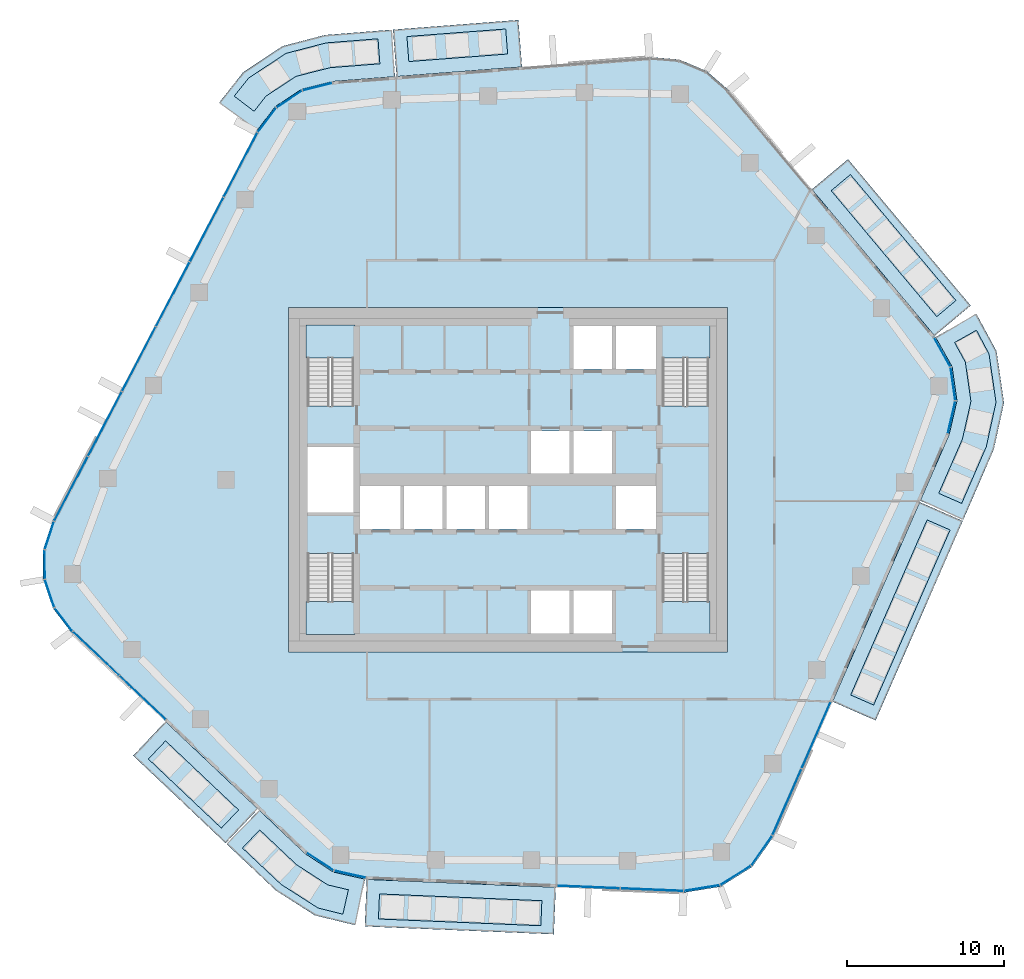
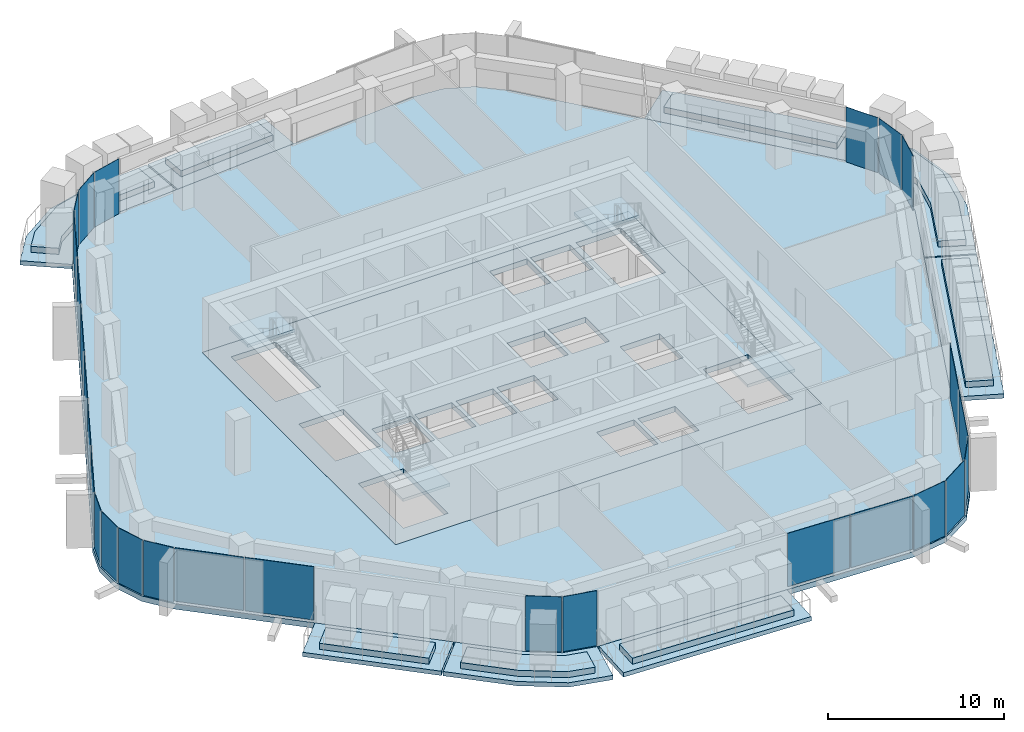
# One storey, part 9 of 20: 27 plates, 22 slabs, 13 elements without a shape of their own.
"""IFC4 building model written with IfcOpenShell, lengths in metres."""

from ifc_helpers import new_model, si_unit, direction, frame, origin, origin_2d, place, context, subcontext, project, spatial, polyline, rectangle, outline, extrude, material, layer, layer_set, type_object, element, aggregate, save


model = new_model("IFC4")

# Units and contexts
model_context = context("Model", 3, precision=1e-05, world=origin(), true_north=direction((0.0, 1.0)))
body_context = subcontext(model_context, "Body", "Model", "MODEL_VIEW")
ifc_project = project(units=[si_unit("LENGTHUNIT", "METRE"), si_unit("AREAUNIT", "SQUARE_METRE"), si_unit("VOLUMEUNIT", "CUBIC_METRE"), si_unit("PLANEANGLEUNIT", "RADIAN"), si_unit("MASSUNIT", "GRAM", prefix="KILO")], contexts=[model_context])

# Site, building, storey
site_placement = place(None, origin())
site = spatial("IfcSite", under=ifc_project, at=site_placement, CompositionType="ELEMENT")
building_placement = place(site_placement, origin())
building = spatial("IfcBuilding", under=site, at=building_placement, Name="Dongbaek Canopy Tower", CompositionType="ELEMENT")
storey_placement = place(building_placement, frame((0.0, 0.0, 245.39990234375)))
storey = spatial("IfcBuildingStorey", under=building, at=storey_placement, Name="L51", CompositionType="ELEMENT", Elevation=245.39990234375)

# Slabs
ifc_material_1 = material(Name="Concrete C40/50", Category="concrete")
ifc_layer_1 = layer(ifc_material_1, 0.300048828125)
ifc_layer_set_1 = layer_set([ifc_layer_1], Name="Balcony slab 300")
slab_type_1 = type_object("IfcSlabType", Name="Balcony slab 300", PredefinedType="FLOOR", material=ifc_layer_set_1)
slab_1_placement = place(storey_placement, frame((0.0, 0.0, -0.2998046875)))
element("IfcSlab", 1, at=slab_1_placement, inside=storey, type_object=slab_type_1, Name="Balcony L51 1", PredefinedType="FLOOR", context=body_context, shape_type="SweptSolid", body=[
    extrude(outline(polyline([(27.212646484375, 9.186279296875), (19.3857421875, 18.523681640625), (21.684814453125, 20.450927734375), (29.51171875, 11.11328125), (27.212646484375, 9.186279296875)])), origin(), (0.0, 0.0, 1.0), 0.2998046875),
])
slab_2_placement = place(storey_placement, frame((0.0, 0.0, -0.2998046875)))
element("IfcSlab", 2, at=slab_2_placement, inside=storey, type_object=slab_type_1, Name="Balcony L51 2", PredefinedType="FLOOR", context=body_context, shape_type="SweptSolid", body=[
    extrude(outline(polyline([(0.887451171875, 26.3408203125), (-7.11083984375, 25.72705078125), (-7.34033203125, 28.71826171875), (0.657958984375, 29.33203125), (0.887451171875, 26.3408203125)])), origin(), (0.0, 0.0, 1.0), 0.2998046875),
])
slab_3_placement = place(storey_placement, frame((0.0, 0.0, -0.2998046875)))
element("IfcSlab", 3, at=slab_3_placement, inside=storey, type_object=slab_type_1, Name="Balcony L51 7", PredefinedType="FLOOR", context=body_context, shape_type="SweptSolid", body=[
    extrude(outline(polyline([(-7.21044921875, 25.719482421875), (-11.209716796875, 25.412353515625), (-13.1640625, 24.92333984375), (-14.84619140625, 23.814697265625), (-16.036376953125, 22.251708984375), (-18.423095703125, 24.069091796875), (-16.89404296875, 26.007080078125), (-14.37060546875, 27.669921875), (-11.6904296875, 28.373779296875), (-7.43994140625, 28.710693359375), (-7.21044921875, 25.719482421875)])), origin(), (0.0, 0.0, 1.0), 0.2998046875),
])
slab_4_placement = place(storey_placement, frame((0.0, 0.0, -0.2998046875)))
element("IfcSlab", 4, at=slab_4_placement, inside=storey, type_object=slab_type_1, Name="Balcony L51 3", PredefinedType="FLOOR", context=body_context, shape_type="SweptSolid", body=[
    extrude(outline(polyline([(-21.855224609375, -15.42236328125), (-15.96044921875, -21.0), (-18.0224609375, -23.17919921875), (-23.917236328125, -17.601318359375), (-21.855224609375, -15.42236328125)])), origin(), (0.0, 0.0, 1.0), 0.2998046875),
])
slab_5_placement = place(storey_placement, frame((0.0, 0.0, -0.2998046875)))
element("IfcSlab", 5, at=slab_5_placement, inside=storey, type_object=slab_type_1, Name="Balcony L51 8", PredefinedType="FLOOR", context=body_context, shape_type="SweptSolid", body=[
    extrude(outline(polyline([(-15.887939453125, -21.06884765625), (-12.9404296875, -23.857666015625), (-11.151123046875, -25.026611328125), (-9.1142578125, -25.4833984375), (-9.770751953125, -28.41064453125), (-12.318359375, -27.790283203125), (-14.79931640625, -26.21240234375), (-17.94970703125, -23.247802734375), (-15.887939453125, -21.06884765625)])), origin(), (0.0, 0.0, 1.0), 0.2998046875),
])
slab_6_placement = place(storey_placement, frame((0.0, 0.0, -0.2998046875)))
element("IfcSlab", 6, at=slab_6_placement, inside=storey, type_object=slab_type_1, Name="Balcony L51 4", PredefinedType="FLOOR", context=body_context, shape_type="SweptSolid", body=[
    extrude(outline(polyline([(-9.015625, -25.496337890625), (3.043701171875, -25.9970703125), (2.91943359375, -28.994384765625), (-9.14013671875, -28.493896484375), (-9.015625, -25.496337890625)])), origin(), (0.0, 0.0, 1.0), 0.2998046875),
])
slab_7_placement = place(storey_placement, frame((0.0, 0.0, -0.2998046875)))
element("IfcSlab", 7, at=slab_7_placement, inside=storey, type_object=slab_type_1, Name="Balcony L51 5", PredefinedType="FLOOR", context=body_context, shape_type="SweptSolid", body=[
    extrude(outline(polyline([(20.69970703125, -14.152099609375), (26.258544921875, -1.426513671875), (29.007568359375, -2.62744140625), (23.448974609375, -15.352783203125), (20.69970703125, -14.152099609375)])), origin(), (0.0, 0.0, 1.0), 0.2998046875),
])
slab_8_placement = place(storey_placement, frame((0.0, 0.0, -0.2998046875)))
element("IfcSlab", 8, at=slab_8_placement, inside=storey, type_object=slab_type_1, Name="Balcony L51 6", PredefinedType="FLOOR", context=body_context, shape_type="SweptSolid", body=[
    extrude(outline(polyline([(26.298583984375, -1.334716796875), (28.144775390625, 2.891845703125), (28.64111328125, 5.04150390625), (28.326904296875, 7.225341796875), (27.269287109375, 9.104248046875), (29.883544921875, 10.575927734375), (31.167236328125, 8.191162109375), (31.638427734375, 4.91552734375), (30.9931640625, 1.94970703125), (29.047607421875, -2.53564453125), (26.298583984375, -1.334716796875)])), origin(), (0.0, 0.0, 1.0), 0.2998046875),
])

# Curtain wall, plates
ifc_material_2 = material(Name="Aluminium 6063-T6 pale anodised", Category="aluminium")
ifc_layer_2 = layer(ifc_material_2, 0.199951171875)
ifc_layer_set_2 = layer_set([ifc_layer_2], Name="CW-1 unitised tower curtain wall")
curtain_wall_type = type_object("IfcCurtainWallType", Name="CW-1 unitised tower curtain wall", PredefinedType="NOTDEFINED", material=ifc_layer_set_2)
curtain_wall_1_placement = place(storey_placement, origin())
curtain_wall_1 = element("IfcCurtainWall", 9, at=curtain_wall_1_placement, inside=storey, type_object=curtain_wall_type, Name="CW-1 curtain wall K0.1", PredefinedType="NOTDEFINED")
ifc_material_3 = material(Name="Clear laminated glass", Category="glass")
ifc_layer_3 = layer(ifc_material_3, 0.028076171875)
ifc_layer_set_3 = layer_set([ifc_layer_3], Name="CW-1 glazed panel 28")
plate_type = type_object("IfcPlateType", Name="CW-1 glazed panel 28", PredefinedType="CURTAIN_PANEL", material=ifc_layer_set_3)
plate_1_placement = place(storey_placement, frame((28.29443359375, 3.984619140625, 0.0), z_axis=(0.0, 0.0, 1.0), x_axis=(0.224987160304, 0.974361728363, 0.0)))
plate_1 = element("IfcPlate", 10, at=plate_1_placement, type_object=plate_type, Name="CW-1 panel K0.1.1.1", PredefinedType="CURTAIN_PANEL", context=body_context, shape_type="SweptSolid", body=[
    extrude(rectangle(XDim=2.09423828125, YDim=0.028076171875, at=origin_2d()), origin(), (0.0, 0.0, 1.0), 3.820068359375),
])
plate_2_placement = place(storey_placement, frame((28.385009765625, 6.119140625, 0.0), z_axis=(0.0, 0.0, 1.0), x_axis=(-0.142403079882, 0.989808750638, 0.0)))
plate_2 = element("IfcPlate", 11, at=plate_2_placement, type_object=plate_type, Name="CW-1 panel K0.1.2.1", PredefinedType="CURTAIN_PANEL", context=body_context, shape_type="SweptSolid", body=[
    extrude(rectangle(XDim=2.0849609375, YDim=0.028076171875, at=origin_2d()), origin(), (0.0, 0.0, 1.0), 3.820068359375),
])
plate_3_placement = place(storey_placement, frame((27.6962890625, 8.1416015625, 0.0), z_axis=(0.0, 0.0, 1.0), x_axis=(-0.490538401675, 0.871419575453, 0.0)))
plate_3 = element("IfcPlate", 12, at=plate_3_placement, type_object=plate_type, Name="CW-1 panel K0.1.3.1", PredefinedType="CURTAIN_PANEL", context=body_context, shape_type="SweptSolid", body=[
    extrude(rectangle(XDim=2.09423828125, YDim=0.028076171875, at=origin_2d()), origin(), (0.0, 0.0, 1.0), 3.820068359375),
])
aggregate(curtain_wall_1, [plate_1, plate_2, plate_3])

curtain_wall_2_placement = place(storey_placement, origin())
curtain_wall_2 = element("IfcCurtainWall", 13, at=curtain_wall_2_placement, inside=storey, type_object=curtain_wall_type, Name="CW-1 curtain wall K2.1", PredefinedType="NOTDEFINED")
plate_4_placement = place(storey_placement, frame((-12.158447265625, 25.072021484375, 0.0), z_axis=(0.0, 0.0, 1.0), x_axis=(-0.970070460405, -0.242823602331, 0.0)))
plate_4 = element("IfcPlate", 14, at=plate_4_placement, type_object=plate_type, Name="CW-1 panel K2.1.1.1", PredefinedType="CURTAIN_PANEL", context=body_context, shape_type="SweptSolid", body=[
    extrude(rectangle(XDim=1.905029296875, YDim=0.028076171875, at=origin_2d()), origin(), (0.0, 0.0, 1.0), 3.820068359375),
])
plate_5_placement = place(storey_placement, frame((-13.949951171875, 24.28564453125, 0.0), z_axis=(0.0, 0.0, 1.0), x_axis=(-0.835012797556, -0.550230522525, 0.0)))
plate_5 = element("IfcPlate", 15, at=plate_5_placement, type_object=plate_type, Name="CW-1 panel K2.1.2.1", PredefinedType="CURTAIN_PANEL", context=body_context, shape_type="SweptSolid", body=[
    extrude(rectangle(XDim=1.896484375, YDim=0.028076171875, at=origin_2d()), origin(), (0.0, 0.0, 1.0), 3.820068359375),
])
plate_6_placement = place(storey_placement, frame((-15.37939453125, 22.949462890625, 0.0), z_axis=(0.0, 0.0, 1.0), x_axis=(-0.605816136858, -0.795604680933, 0.0)))
plate_6 = element("IfcPlate", 16, at=plate_6_placement, type_object=plate_type, Name="CW-1 panel K2.1.3.1", PredefinedType="CURTAIN_PANEL", context=body_context, shape_type="SweptSolid", body=[
    extrude(rectangle(XDim=1.905029296875, YDim=0.028076171875, at=origin_2d()), origin(), (0.0, 0.0, 1.0), 3.820068359375),
])
aggregate(curtain_wall_2, [plate_4, plate_5, plate_6])

curtain_wall_3_placement = place(storey_placement, origin())
curtain_wall_3 = element("IfcCurtainWall", 17, at=curtain_wall_3_placement, inside=storey, type_object=curtain_wall_type, Name="CW-1 curtain wall F2.1", PredefinedType="NOTDEFINED")
plate_7_placement = place(storey_placement, frame((-17.06201171875, 20.093994140625, 0.1201171875), z_axis=(0.0, 0.0, 1.0), x_axis=(-0.463648721803, -0.886019109709, 0.0)))
plate_7 = element("IfcPlate", 18, at=plate_7_placement, type_object=plate_type, Name="CW-1 panel F2.1.1.1", PredefinedType="CURTAIN_PANEL", context=body_context, shape_type="SweptSolid", body=[
    extrude(rectangle(XDim=4.5751953125, YDim=0.028076171875, at=origin_2d()), origin(), (0.0, 0.0, 1.0), 3.699951171875),
])
plate_8_placement = place(storey_placement, frame((-19.22412109375, 15.962158203125, 0.1201171875), z_axis=(0.0, 0.0, 1.0), x_axis=(-0.463648721803, -0.886019109709, 0.0)))
plate_8 = element("IfcPlate", 19, at=plate_8_placement, type_object=plate_type, Name="CW-1 panel F2.1.2.1", PredefinedType="CURTAIN_PANEL", context=body_context, shape_type="SweptSolid", body=[
    extrude(rectangle(XDim=4.58349609375, YDim=0.028076171875, at=origin_2d()), origin(), (0.0, 0.0, 1.0), 3.699951171875),
])
plate_9_placement = place(storey_placement, frame((-21.388427734375, 11.82666015625, 0.1201171875), z_axis=(0.0, 0.0, 1.0), x_axis=(-0.463648721803, -0.886019109709, 0.0)))
plate_9 = element("IfcPlate", 20, at=plate_9_placement, type_object=plate_type, Name="CW-1 panel F2.1.3.1", PredefinedType="CURTAIN_PANEL", context=body_context, shape_type="SweptSolid", body=[
    extrude(rectangle(XDim=4.58349609375, YDim=0.028076171875, at=origin_2d()), origin(), (0.0, 0.0, 1.0), 3.699951171875),
])
plate_10_placement = place(storey_placement, frame((-23.552490234375, 7.691162109375, 0.1201171875), z_axis=(0.0, 0.0, 1.0), x_axis=(-0.463648721803, -0.886019109709, 0.0)))
plate_10 = element("IfcPlate", 21, at=plate_10_placement, type_object=plate_type, Name="CW-1 panel F2.1.4.1", PredefinedType="CURTAIN_PANEL", context=body_context, shape_type="SweptSolid", body=[
    extrude(rectangle(XDim=4.58349609375, YDim=0.028076171875, at=origin_2d()), origin(), (0.0, 0.0, 1.0), 3.699951171875),
])
plate_11_placement = place(storey_placement, frame((-25.716552734375, 3.5556640625, 0.1201171875), z_axis=(0.0, 0.0, 1.0), x_axis=(-0.463648721803, -0.886019109709, 0.0)))
plate_11 = element("IfcPlate", 22, at=plate_11_placement, type_object=plate_type, Name="CW-1 panel F2.1.5.1", PredefinedType="CURTAIN_PANEL", context=body_context, shape_type="SweptSolid", body=[
    extrude(rectangle(XDim=4.58349609375, YDim=0.028076171875, at=origin_2d()), origin(), (0.0, 0.0, 1.0), 3.699951171875),
])
plate_12_placement = place(storey_placement, frame((-27.87890625, -0.576416015625, 0.1201171875), z_axis=(0.0, 0.0, 1.0), x_axis=(-0.463648721803, -0.886019109709, 0.0)))
plate_12 = element("IfcPlate", 23, at=plate_12_placement, type_object=plate_type, Name="CW-1 panel F2.1.6.1", PredefinedType="CURTAIN_PANEL", context=body_context, shape_type="SweptSolid", body=[
    extrude(rectangle(XDim=4.575439453125, YDim=0.028076171875, at=origin_2d()), origin(), (0.0, 0.0, 1.0), 3.699951171875),
])
aggregate(curtain_wall_3, [plate_7, plate_8, plate_9, plate_10, plate_11, plate_12])

curtain_wall_4_placement = place(storey_placement, origin())
curtain_wall_4 = element("IfcCurtainWall", 24, at=curtain_wall_4_placement, inside=storey, type_object=curtain_wall_type, Name="CW-1 curtain wall K3.1", PredefinedType="NOTDEFINED")
plate_13_placement = place(storey_placement, frame((-29.259521484375, -3.546875, 0.0), z_axis=(0.0, 0.0, 1.0), x_axis=(-0.314772787668, -0.949167051758, 0.0)))
plate_13 = element("IfcPlate", 25, at=plate_13_placement, type_object=plate_type, Name="CW-1 panel K3.1.1.1", PredefinedType="CURTAIN_PANEL", context=body_context, shape_type="SweptSolid", body=[
    extrude(rectangle(XDim=1.82568359375, YDim=0.028076171875, at=origin_2d()), origin(), (0.0, 0.0, 1.0), 3.820068359375),
])
plate_14_placement = place(storey_placement, frame((-29.556640625, -5.404052734375, 0.0), z_axis=(0.0, 0.0, 1.0), x_axis=(0.003565980648, -0.999993641871, 0.0)))
plate_14 = element("IfcPlate", 26, at=plate_14_placement, type_object=plate_type, Name="CW-1 panel K3.1.2.1", PredefinedType="CURTAIN_PANEL", context=body_context, shape_type="SweptSolid", body=[
    extrude(rectangle(XDim=1.817626953125, YDim=0.028076171875, at=origin_2d()), origin(), (0.0, 0.0, 1.0), 3.820068359375),
])
plate_15_placement = place(storey_placement, frame((-29.24755859375, -7.255126953125, 0.0), z_axis=(0.0, 0.0, 1.0), x_axis=(0.321534161849, -0.946897979068, 0.0)))
plate_15 = element("IfcPlate", 27, at=plate_15_placement, type_object=plate_type, Name="CW-1 panel K3.1.3.1", PredefinedType="CURTAIN_PANEL", context=body_context, shape_type="SweptSolid", body=[
    extrude(rectangle(XDim=1.817626953125, YDim=0.028076171875, at=origin_2d()), origin(), (0.0, 0.0, 1.0), 3.820068359375),
])
plate_16_placement = place(storey_placement, frame((-28.36328125, -8.914794921875, 0.0), z_axis=(0.0, 0.0, 1.0), x_axis=(0.606087576122, -0.795397919328, 0.0)))
plate_16 = element("IfcPlate", 28, at=plate_16_placement, type_object=plate_type, Name="CW-1 panel K3.1.4.1", PredefinedType="CURTAIN_PANEL", context=body_context, shape_type="SweptSolid", body=[
    extrude(rectangle(XDim=1.82568359375, YDim=0.028076171875, at=origin_2d()), origin(), (0.0, 0.0, 1.0), 3.820068359375),
])
aggregate(curtain_wall_4, [plate_13, plate_14, plate_15, plate_16])

curtain_wall_5_placement = place(storey_placement, origin())
curtain_wall_5 = element("IfcCurtainWall", 29, at=curtain_wall_5_placement, inside=storey, type_object=curtain_wall_type, Name="CW-1 curtain wall F3.1", PredefinedType="NOTDEFINED")
plate_17_placement = place(storey_placement, frame((-26.29541015625, -11.083251953125, 0.1201171875), z_axis=(0.0, 0.0, 1.0), x_axis=(0.72636898402, -0.687304953463, 0.0)))
plate_17 = element("IfcPlate", 30, at=plate_17_placement, type_object=plate_type, Name="CW-1 panel F3.1.1.1", PredefinedType="CURTAIN_PANEL", context=body_context, shape_type="SweptSolid", body=[
    extrude(rectangle(XDim=4.015625, YDim=0.028076171875, at=origin_2d()), origin(), (0.0, 0.0, 1.0), 3.699951171875),
])
plate_18_placement = place(storey_placement, frame((-23.314697265625, -13.903564453125, 0.1201171875), z_axis=(0.0, 0.0, 1.0), x_axis=(0.72636898402, -0.687304953463, 0.0)))
plate_18 = element("IfcPlate", 31, at=plate_18_placement, type_object=plate_type, Name="CW-1 panel F3.1.2.1", PredefinedType="CURTAIN_PANEL", context=body_context, shape_type="SweptSolid", body=[
    extrude(rectangle(XDim=4.023681640625, YDim=0.028076171875, at=origin_2d()), origin(), (0.0, 0.0, 1.0), 3.699951171875),
])
aggregate(curtain_wall_5, [plate_17, plate_18])

curtain_wall_6_placement = place(storey_placement, origin())
curtain_wall_6 = element("IfcCurtainWall", 32, at=curtain_wall_6_placement, inside=storey, type_object=curtain_wall_type, Name="CW-1 curtain wall K4.1", PredefinedType="NOTDEFINED")
plate_19_placement = place(storey_placement, frame((-11.994873046875, -24.35595703125, 0.0), z_axis=(0.0, 0.0, 1.0), x_axis=(0.837173027696, -0.546938133338, 0.0)))
plate_19 = element("IfcPlate", 33, at=plate_19_placement, type_object=plate_type, Name="CW-1 panel K4.1.1.1", PredefinedType="CURTAIN_PANEL", context=body_context, shape_type="SweptSolid", body=[
    extrude(rectangle(XDim=2.0263671875, YDim=0.028076171875, at=origin_2d()), origin(), (0.0, 0.0, 1.0), 3.820068359375),
])
plate_20_placement = place(storey_placement, frame((-10.08203125, -25.163818359375, 0.0), z_axis=(0.0, 0.0, 1.0), x_axis=(0.975774438515, -0.218778986972, 0.0)))
plate_20 = element("IfcPlate", 34, at=plate_20_placement, type_object=plate_type, Name="CW-1 panel K4.1.2.1", PredefinedType="CURTAIN_PANEL", context=body_context, shape_type="SweptSolid", body=[
    extrude(rectangle(XDim=2.0263671875, YDim=0.028076171875, at=origin_2d()), origin(), (0.0, 0.0, 1.0), 3.820068359375),
])
aggregate(curtain_wall_6, [plate_19, plate_20])

curtain_wall_7_placement = place(storey_placement, origin())
curtain_wall_7 = element("IfcCurtainWall", 35, at=curtain_wall_7_placement, inside=storey, type_object=curtain_wall_type, Name="CW-1 curtain wall F4.1", PredefinedType="NOTDEFINED")
plate_21_placement = place(storey_placement, frame((5.12451171875, -25.9833984375, 0.1201171875), z_axis=(0.0, 0.0, 1.0), x_axis=(0.999139279832, -0.041481315027, 0.0)))
plate_21 = element("IfcPlate", 36, at=plate_21_placement, type_object=plate_type, Name="CW-1 panel F4.1.1.1", PredefinedType="CURTAIN_PANEL", context=body_context, shape_type="SweptSolid", body=[
    extrude(rectangle(XDim=3.97265625, YDim=0.028076171875, at=origin_2d()), origin(), (0.0, 0.0, 1.0), 3.699951171875),
])
plate_22_placement = place(storey_placement, frame((9.172607421875, -26.1513671875, 0.1201171875), z_axis=(0.0, 0.0, 1.0), x_axis=(0.999139279832, -0.041481315027, 0.0)))
plate_22 = element("IfcPlate", 37, at=plate_22_placement, type_object=plate_type, Name="CW-1 panel F4.1.2.1", PredefinedType="CURTAIN_PANEL", context=body_context, shape_type="SweptSolid", body=[
    extrude(rectangle(XDim=3.962646484375, YDim=0.028076171875, at=origin_2d()), origin(), (0.0, 0.0, 1.0), 3.699951171875),
])
aggregate(curtain_wall_7, [plate_21, plate_22])

curtain_wall_8_placement = place(storey_placement, origin())
curtain_wall_8 = element("IfcCurtainWall", 38, at=curtain_wall_8_placement, inside=storey, type_object=curtain_wall_type, Name="CW-1 curtain wall K5.1", PredefinedType="NOTDEFINED")
plate_23_placement = place(storey_placement, frame((12.356689453125, -26.04931640625, 0.0), z_axis=(0.0, 0.0, 1.0), x_axis=(0.987452229551, 0.157917998831, 0.0)))
plate_23 = element("IfcPlate", 39, at=plate_23_placement, type_object=plate_type, Name="CW-1 panel K5.1.1.1", PredefinedType="CURTAIN_PANEL", context=body_context, shape_type="SweptSolid", body=[
    extrude(rectangle(XDim=2.2705078125, YDim=0.028076171875, at=origin_2d()), origin(), (0.0, 0.0, 1.0), 3.820068359375),
])
plate_24_placement = place(storey_placement, frame((14.51318359375, -25.2421875, 0.0), z_axis=(0.0, 0.0, 1.0), x_axis=(0.847927997498, 0.530111413817, 0.0)))
plate_24 = element("IfcPlate", 40, at=plate_24_placement, type_object=plate_type, Name="CW-1 panel K5.1.2.1", PredefinedType="CURTAIN_PANEL", context=body_context, shape_type="SweptSolid", body=[
    extrude(rectangle(XDim=2.26025390625, YDim=0.028076171875, at=origin_2d()), origin(), (0.0, 0.0, 1.0), 3.820068359375),
])
plate_25_placement = place(storey_placement, frame((16.183349609375, -23.656982421875, 0.0), z_axis=(0.0, 0.0, 1.0), x_axis=(0.574435424311, 0.818549902753, 0.0)))
plate_25 = element("IfcPlate", 41, at=plate_25_placement, type_object=plate_type, Name="CW-1 panel K5.1.3.1", PredefinedType="CURTAIN_PANEL", context=body_context, shape_type="SweptSolid", body=[
    extrude(rectangle(XDim=2.2705078125, YDim=0.028076171875, at=origin_2d()), origin(), (0.0, 0.0, 1.0), 3.820068359375),
])
aggregate(curtain_wall_8, [plate_23, plate_24, plate_25])

curtain_wall_9_placement = place(storey_placement, origin())
curtain_wall_9 = element("IfcCurtainWall", 42, at=curtain_wall_9_placement, inside=storey, type_object=curtain_wall_type, Name="CW-1 curtain wall F5.1", PredefinedType="NOTDEFINED")
plate_26_placement = place(storey_placement, frame((17.790771484375, -20.561767578125, 0.1201171875), z_axis=(0.0, 0.0, 1.0), x_axis=(0.400295417584, 0.9163861515, 0.0)))
plate_26 = element("IfcPlate", 43, at=plate_26_placement, type_object=plate_type, Name="CW-1 panel F5.1.1.1", PredefinedType="CURTAIN_PANEL", context=body_context, shape_type="SweptSolid", body=[
    extrude(rectangle(XDim=4.568115234375, YDim=0.028076171875, at=origin_2d()), origin(), (0.0, 0.0, 1.0), 3.699951171875),
])
plate_27_placement = place(storey_placement, frame((19.655029296875, -16.2939453125, 0.1201171875), z_axis=(0.0, 0.0, 1.0), x_axis=(0.400295417584, 0.9163861515, 0.0)))
plate_27 = element("IfcPlate", 44, at=plate_27_placement, type_object=plate_type, Name="CW-1 panel F5.1.2.1", PredefinedType="CURTAIN_PANEL", context=body_context, shape_type="SweptSolid", body=[
    extrude(rectangle(XDim=4.578125, YDim=0.028076171875, at=origin_2d()), origin(), (0.0, 0.0, 1.0), 3.699951171875),
])
aggregate(curtain_wall_9, [plate_26, plate_27])

# Slab
ifc_material_4 = material(Name="Concrete C40/50", Category="concrete")
ifc_layer_4 = layer(ifc_material_4, 0.3798828125)
ifc_layer_set_4 = layer_set([ifc_layer_4], Name="Core floor slab 380 Concrete C40/50")
slab_type_2 = type_object("IfcSlabType", Name="Core floor slab 380 Concrete C40/50", PredefinedType="FLOOR", material=ifc_layer_set_4)
slab_9_placement = place(storey_placement, frame((0.0, 0.0, -0.3798828125)))
element("IfcSlab", 45, at=slab_9_placement, inside=storey, type_object=slab_type_2, Name="Core floor slab L51", PredefinedType="FLOOR", context=body_context, shape_type="SweptSolid", body=[
    extrude(outline(polyline([(14.0, -11.0), (14.0, 11.0), (-14.0, 11.0), (-14.0, -11.0), (14.0, -11.0)]), holes=[polyline([(-12.800048828125, 2.10009765625), (-9.85009765625, 2.10009765625), (-9.85009765625, -2.10009765625), (-12.800048828125, -2.10009765625), (-12.800048828125, 2.10009765625)]), polyline([(6.625, 9.800048828125), (6.625, 7.074951171875), (4.175048828125, 7.074951171875), (4.175048828125, 9.800048828125), (6.625, 9.800048828125)]), polyline([(9.449951171875, 7.074951171875), (6.875, 7.074951171875), (6.875, 9.800048828125), (9.449951171875, 9.800048828125), (9.449951171875, 7.074951171875)]), polyline([(1.47509765625, 0.39990234375), (1.47509765625, 3.125), (3.925048828125, 3.125), (3.925048828125, 0.39990234375), (1.47509765625, 0.39990234375)]), polyline([(4.175048828125, 0.39990234375), (4.175048828125, 3.125), (6.625, 3.125), (6.625, 0.39990234375), (4.175048828125, 0.39990234375)]), polyline([(-9.449951171875, -0.39990234375), (-6.875, -0.39990234375), (-6.875, -3.125), (-9.449951171875, -3.125), (-9.449951171875, -0.39990234375)]), polyline([(-6.625, -3.125), (-6.625, -0.39990234375), (-4.175048828125, -0.39990234375), (-4.175048828125, -3.125), (-6.625, -3.125)]), polyline([(-3.925048828125, -3.125), (-3.925048828125, -0.39990234375), (-1.47509765625, -0.39990234375), (-1.47509765625, -3.125), (-3.925048828125, -3.125)]), polyline([(-1.22509765625, -3.125), (-1.22509765625, -0.39990234375), (1.22509765625, -0.39990234375), (1.22509765625, -3.125), (-1.22509765625, -3.125)]), polyline([(9.449951171875, -3.125), (6.875, -3.125), (6.875, -0.39990234375), (9.449951171875, -0.39990234375), (9.449951171875, -3.125)]), polyline([(1.47509765625, -9.800048828125), (1.47509765625, -7.074951171875), (3.925048828125, -7.074951171875), (3.925048828125, -9.800048828125), (1.47509765625, -9.800048828125)]), polyline([(4.175048828125, -9.800048828125), (4.175048828125, -7.074951171875), (6.625, -7.074951171875), (6.625, -9.800048828125), (4.175048828125, -9.800048828125)]), polyline([(12.800048828125, 4.70068359375), (12.800048828125, 9.800048828125), (9.85009765625, 9.800048828125), (9.85009765625, 4.70068359375), (12.800048828125, 4.70068359375)]), polyline([(-9.85009765625, 4.70068359375), (-9.85009765625, 9.800048828125), (-12.800048828125, 9.800048828125), (-12.800048828125, 4.70068359375), (-9.85009765625, 4.70068359375)]), polyline([(9.85009765625, -4.70068359375), (9.85009765625, -9.800048828125), (12.800048828125, -9.800048828125), (12.800048828125, -4.70068359375), (9.85009765625, -4.70068359375)]), polyline([(-12.800048828125, -4.70068359375), (-12.800048828125, -9.800048828125), (-9.85009765625, -9.800048828125), (-9.85009765625, -4.70068359375), (-12.800048828125, -4.70068359375)])]), origin(), (0.0, 0.0, 1.0), 0.3798828125),
])

# Stair, slab
ifc_material_5 = material(Name="Concrete C40/50", Category="concrete")
stair_type = type_object("IfcStairType", Name="Core exit stair", PredefinedType="HALF_TURN_STAIR", material=ifc_material_5)
stair_1_placement = place(storey_placement, origin())
stair_1 = element("IfcStair", 46, at=stair_1_placement, inside=storey, type_object=stair_type, Name="L51 exit stair A", PredefinedType="HALF_TURN_STAIR")
ifc_material_6 = material(Name="Concrete C40/50", Category="concrete")
ifc_layer_5 = layer(ifc_material_6, 0.199951171875)
ifc_layer_set_5 = layer_set([ifc_layer_5], Name="Core stair landing 200")
slab_type_3 = type_object("IfcSlabType", Name="Core stair landing 200", PredefinedType="LANDING", material=ifc_layer_set_5)
slab_10_placement = place(storey_placement, frame((0.0, 0.0, 1.900146484375)))
slab_10 = element("IfcSlab", 47, at=slab_10_placement, type_object=slab_type_3, Name="ST-A landing 1", PredefinedType="LANDING", context=body_context, shape_type="SweptSolid", body=[
    extrude(outline(polyline([(12.875, 7.780029296875), (12.875, 9.875), (9.77490234375, 9.875), (9.77490234375, 7.780029296875), (12.875, 7.780029296875)])), origin(), (0.0, 0.0, 1.0), 0.199951171875),
])
aggregate(stair_1, [slab_10])

stair_2_placement = place(storey_placement, origin())
stair_2 = element("IfcStair", 48, at=stair_2_placement, inside=storey, type_object=stair_type, Name="L51 exit stair C", PredefinedType="HALF_TURN_STAIR")
slab_11_placement = place(storey_placement, frame((0.0, 0.0, 1.900146484375)))
slab_11 = element("IfcSlab", 49, at=slab_11_placement, type_object=slab_type_3, Name="ST-C landing 1", PredefinedType="LANDING", context=body_context, shape_type="SweptSolid", body=[
    extrude(outline(polyline([(-9.77490234375, 7.780029296875), (-9.77490234375, 9.875), (-12.875, 9.875), (-12.875, 7.780029296875), (-9.77490234375, 7.780029296875)])), origin(), (0.0, 0.0, 1.0), 0.199951171875),
])
aggregate(stair_2, [slab_11])

stair_3_placement = place(storey_placement, origin())
stair_3 = element("IfcStair", 50, at=stair_3_placement, inside=storey, type_object=stair_type, Name="L51 exit stair B", PredefinedType="HALF_TURN_STAIR")
slab_12_placement = place(storey_placement, frame((0.0, 0.0, 1.900146484375)))
slab_12 = element("IfcSlab", 51, at=slab_12_placement, type_object=slab_type_3, Name="ST-B landing 1", PredefinedType="LANDING", context=body_context, shape_type="SweptSolid", body=[
    extrude(outline(polyline([(9.77490234375, -7.780029296875), (9.77490234375, -9.875), (12.875, -9.875), (12.875, -7.780029296875), (9.77490234375, -7.780029296875)])), origin(), (0.0, 0.0, 1.0), 0.199951171875),
])
aggregate(stair_3, [slab_12])

stair_4_placement = place(storey_placement, origin())
stair_4 = element("IfcStair", 52, at=stair_4_placement, inside=storey, type_object=stair_type, Name="L51 exit stair D", PredefinedType="HALF_TURN_STAIR")
slab_13_placement = place(storey_placement, frame((0.0, 0.0, 1.900146484375)))
slab_13 = element("IfcSlab", 53, at=slab_13_placement, type_object=slab_type_3, Name="ST-D landing 1", PredefinedType="LANDING", context=body_context, shape_type="SweptSolid", body=[
    extrude(outline(polyline([(-12.875, -7.780029296875), (-12.875, -9.875), (-9.77490234375, -9.875), (-9.77490234375, -7.780029296875), (-12.875, -7.780029296875)])), origin(), (0.0, 0.0, 1.0), 0.199951171875),
])
aggregate(stair_4, [slab_13])

# Slabs
ifc_material_7 = material(Name="Concrete C40", Category="concrete")
ifc_layer_6 = layer(ifc_material_7, 0.3798828125)
ifc_layer_set_6 = layer_set([ifc_layer_6], Name="RC FLAT PLATE 380 Concrete C40")
slab_type_4 = type_object("IfcSlabType", Name="RC FLAT PLATE 380 Concrete C40", PredefinedType="FLOOR", material=ifc_layer_set_6)
slab_14_placement = place(storey_placement, frame((0.0, 0.0, -0.3798828125)))
element("IfcSlab", 54, at=slab_14_placement, inside=storey, type_object=slab_type_4, Name="SLAB:L51", PredefinedType="FLOOR", context=body_context, shape_type="SweptSolid", body=[
    extrude(outline(polyline([(16.947265625, -22.74267578125), (15.5771484375, -24.69482421875), (13.554931640625, -25.958984375), (11.199951171875, -26.335693359375), (-9.065673828125, -25.494384765625), (-11.151123046875, -25.026611328125), (-12.9404296875, -23.857666015625), (-27.85888671875, -9.741455078125), (-29.03125, -8.202880859375), (-29.6533203125, -6.37158203125), (-29.66015625, -4.437255859375), (-29.05126953125, -2.601318359375), (-16.066650390625, 22.2119140625), (-14.84619140625, 23.814697265625), (-13.1640625, 24.92333984375), (-11.209716796875, 25.41259765625), (9.035400390625, 26.966064453125), (10.9208984375, 26.811767578125), (12.664306640625, 26.078125), (14.0927734375, 24.838134765625), (27.24462890625, 9.14794921875), (28.326904296875, 7.225341796875), (28.64111328125, 5.04150390625), (28.144775390625, 2.891845703125), (16.947265625, -22.74267578125)]), holes=[polyline([(14.0, 11.0), (-14.0, 11.0), (-14.0, -11.0), (14.0, -11.0), (14.0, 11.0)])]), origin(), (0.0, 0.0, 1.0), 0.3798828125),
])
ifc_material_8 = material(Name="Reinforced concrete C40/50 planter box with soil", Category="concrete")
ifc_layer_7 = layer(ifc_material_8, 0.419921875)
ifc_layer_set_7 = layer_set([ifc_layer_7], Name="Terrace planter box 1600 x 420")
slab_type_5 = type_object("IfcSlabType", Name="Terrace planter box 1600 x 420", PredefinedType="USERDEFINED", material=ifc_layer_set_7)
slab_15_placement = place(storey_placement, origin())
element("IfcSlab", 55, at=slab_15_placement, inside=storey, type_object=slab_type_5, Name="Balcony planter L51 1", ObjectType="PLANTER", PredefinedType="USERDEFINED", context=body_context, shape_type="SweptSolid", body=[
    extrude(outline(polyline([(27.3486328125, 10.409423828125), (20.61376953125, 18.444091796875), (21.840087890625, 19.471923828125), (28.57470703125, 11.437255859375), (27.3486328125, 10.409423828125)])), origin(), (0.0, 0.0, 1.0), 0.420166015625),
])
slab_16_placement = place(storey_placement, origin())
element("IfcSlab", 56, at=slab_16_placement, inside=storey, type_object=slab_type_5, Name="Balcony planter L51 2", ObjectType="PLANTER", PredefinedType="USERDEFINED", context=body_context, shape_type="SweptSolid", body=[
    extrude(outline(polyline([(-0.028076171875, 27.1630859375), (-6.331298828125, 26.679443359375), (-6.453857421875, 28.274658203125), (-0.150390625, 28.758544921875), (-0.028076171875, 27.1630859375)])), origin(), (0.0, 0.0, 1.0), 0.420166015625),
])
slab_17_placement = place(storey_placement, origin())
element("IfcSlab", 57, at=slab_17_placement, inside=storey, type_object=slab_type_5, Name="Balcony planter L51 7", ObjectType="PLANTER", PredefinedType="USERDEFINED", context=body_context, shape_type="SweptSolid", body=[
    extrude(outline(polyline([(-8.176025390625, 26.537841796875), (-11.352294921875, 26.291015625), (-13.52197265625, 25.738037109375), (-15.45361328125, 24.465087890625), (-16.19921875, 23.5068359375), (-17.47216796875, 24.476318359375), (-16.5458984375, 25.634521484375), (-14.16552734375, 27.202880859375), (-11.608642578125, 27.870361328125), (-8.29833984375, 28.13330078125), (-8.176025390625, 26.537841796875)])), origin(), (0.0, 0.0, 1.0), 0.420166015625),
])
slab_18_placement = place(storey_placement, origin())
element("IfcSlab", 58, at=slab_18_placement, inside=storey, type_object=slab_type_5, Name="Balcony planter L51 3", ObjectType="PLANTER", PredefinedType="USERDEFINED", context=body_context, shape_type="SweptSolid", body=[
    extrude(outline(polyline([(-21.849609375, -16.653076171875), (-17.189697265625, -21.062255859375), (-18.289306640625, -22.224609375), (-22.94921875, -17.815185546875), (-21.849609375, -16.653076171875)])), origin(), (0.0, 0.0, 1.0), 0.420166015625),
])
slab_19_placement = place(storey_placement, origin())
element("IfcSlab", 59, at=slab_19_placement, inside=storey, type_object=slab_type_5, Name="Balcony planter L51 8", ObjectType="PLANTER", PredefinedType="USERDEFINED", context=body_context, shape_type="SweptSolid", body=[
    extrude(outline(polyline([(-15.845947265625, -22.333740234375), (-13.491943359375, -24.55615234375), (-11.49755859375, -25.846435546875), (-10.187255859375, -26.15478515625), (-10.537353515625, -27.716064453125), (-12.119873046875, -27.320556640625), (-14.4833984375, -25.81201171875), (-16.945556640625, -23.49609375), (-15.845947265625, -22.333740234375)])), origin(), (0.0, 0.0, 1.0), 0.420166015625),
])
slab_20_placement = place(storey_placement, origin())
element("IfcSlab", 60, at=slab_20_placement, inside=storey, type_object=slab_type_5, Name="Balcony planter L51 4", ObjectType="PLANTER", PredefinedType="USERDEFINED", context=body_context, shape_type="SweptSolid", body=[
    extrude(outline(polyline([(-8.203369140625, -26.4208984375), (2.15771484375, -26.85107421875), (2.09130859375, -28.44970703125), (-8.26953125, -28.01953125), (-8.203369140625, -26.4208984375)])), origin(), (0.0, 0.0, 1.0), 0.420166015625),
])
slab_21_placement = place(storey_placement, origin())
element("IfcSlab", 61, at=slab_21_placement, inside=storey, type_object=slab_type_5, Name="Balcony planter L51 5", ObjectType="PLANTER", PredefinedType="USERDEFINED", context=body_context, shape_type="SweptSolid", body=[
    extrude(outline(polyline([(21.85546875, -13.729248046875), (26.73388671875, -2.5615234375), (28.199951171875, -3.2021484375), (23.32177734375, -14.369873046875), (21.85546875, -13.729248046875)])), origin(), (0.0, 0.0, 1.0), 0.420166015625),
])
slab_22_placement = place(storey_placement, origin())
element("IfcSlab", 62, at=slab_22_placement, inside=storey, type_object=slab_type_5, Name="Balcony planter L51 6", ObjectType="PLANTER", PredefinedType="USERDEFINED", context=body_context, shape_type="SweptSolid", body=[
    extrude(outline(polyline([(27.474365234375, -0.8662109375), (28.98974609375, 2.6123046875), (29.5302734375, 5.004150390625), (29.169677734375, 7.51171875), (28.486328125, 8.756591796875), (29.880615234375, 9.54150390625), (30.684326171875, 8.02685546875), (31.12890625, 4.936767578125), (30.5087890625, 2.10986328125), (28.940673828125, -1.5068359375), (27.474365234375, -0.8662109375)])), origin(), (0.0, 0.0, 1.0), 0.420166015625),
])

save(model, "model.ifc")
